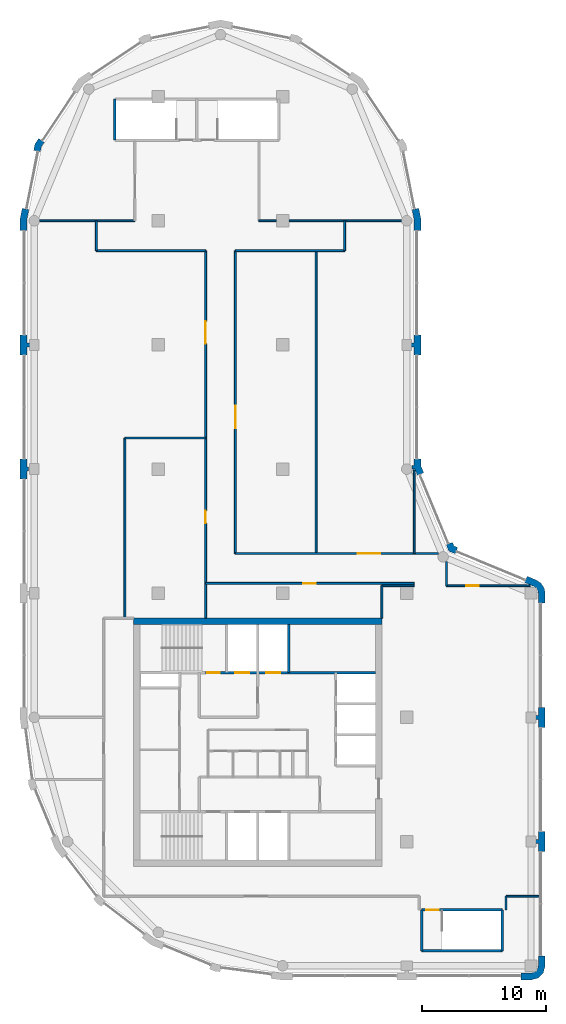
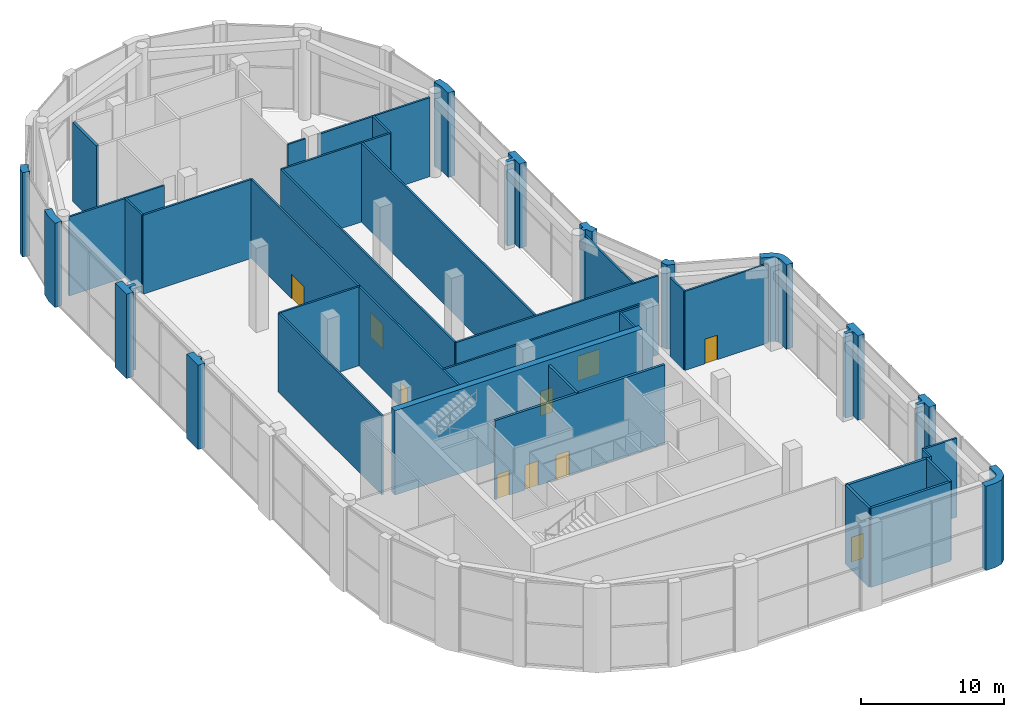
# One storey, part 12 of 14: 41 walls, 10 doors, 10 openings.
"""IFC4 building model written with IfcOpenShell, lengths in metres."""

from ifc_helpers import new_model, si_unit, direction, frame, frame_2d, origin, place, context, subcontext, project, spatial, polyline, rectangle, outline, extrude, material, layer, layer_set, type_object, element, fill, save


model = new_model("IFC4")

# Units and contexts
model_context = context("Model", 3, precision=1e-05, world=origin(), true_north=direction((0.0, 1.0)))
body_context = subcontext(model_context, "Body", "Model", "MODEL_VIEW")
ifc_project = project(units=[si_unit("LENGTHUNIT", "METRE"), si_unit("AREAUNIT", "SQUARE_METRE"), si_unit("VOLUMEUNIT", "CUBIC_METRE"), si_unit("PLANEANGLEUNIT", "RADIAN"), si_unit("MASSUNIT", "GRAM", prefix="KILO")], contexts=[model_context])

# Site, building, storey
site_placement = place(None, origin())
site = spatial("IfcSite", under=ifc_project, at=site_placement, CompositionType="ELEMENT")
building_placement = place(site_placement, origin())
building = spatial("IfcBuilding", under=site, at=building_placement, Name="Qaws Garden Tower", CompositionType="ELEMENT")
storey_placement = place(building_placement, frame((0.0, 0.0, 358.199951171875)))
storey = spatial("IfcBuildingStorey", under=building, at=storey_placement, Name="L87", CompositionType="ELEMENT", Elevation=358.199951171875)

# Walls
ifc_material_1 = material(Name="Clay facing brick masonry", Category="masonry")
ifc_layer_1 = layer(ifc_material_1, 0.550048828125)
ifc_layer_set_1 = layer_set([ifc_layer_1], Name="Clay facing brick masonry")
wall_type_1 = type_object("IfcWallType", Name="Brick corner pier 550 x 2400", PredefinedType="SOLIDWALL", material=ifc_layer_set_1)
placement = place(storey_placement, origin())
element("IfcWall", 1, at=placement, inside=storey, type_object=wall_type_1, Name="E-L87-pier-02", PredefinedType="SOLIDWALL", context=body_context, shape_type="SweptSolid", body=[
    extrude(outline(polyline([(39.199951171875, -1.0), (39.199951171875, -1.14990234375), (40.0, -1.14990234375), (40.574951171875, -0.995849609375), (40.995849609375, -0.574951171875), (41.14990234375, 0.0), (41.14990234375, 0.800048828125), (41.0, 0.800048828125), (40.60009765625, 0.800048828125), (40.60009765625, 0.0), (40.51953125, -0.300048828125), (40.300048828125, -0.51953125), (40.0, -0.60009765625), (39.199951171875, -0.60009765625), (39.199951171875, -1.0)])), origin(), (0.0, 0.0, 1.0), 7.199951171875),
])
element("IfcWall", 2, at=placement, inside=storey, type_object=wall_type_1, Name="E-L87-pier-05", PredefinedType="SOLIDWALL", context=body_context, shape_type="SweptSolid", body=[
    extrude(outline(polyline([(41.0, 29.199951171875), (41.14990234375, 29.199951171875), (41.14990234375, 30.0), (41.0625, 30.440185546875), (40.813232421875, 30.813232421875), (40.440185546875, 31.0625), (39.700927734375, 31.36865234375), (39.6435546875, 31.22998046875), (39.490478515625, 30.860595703125), (40.2294921875, 30.554443359375), (40.42431640625, 30.42431640625), (40.554443359375, 30.2294921875), (40.60009765625, 30.0), (40.60009765625, 29.199951171875), (41.0, 29.199951171875)])), origin(), (0.0, 0.0, 1.0), 7.199951171875),
])
ifc_material_2 = material(Name="Clay facing brick masonry", Category="masonry")
ifc_layer_2 = layer(ifc_material_2, 0.550048828125)
ifc_layer_set_2 = layer_set([ifc_layer_2], Name="Clay facing brick masonry")
wall_type_2 = type_object("IfcWallType", Name="Brick kink pier 550 x 600", PredefinedType="SOLIDWALL", material=ifc_layer_set_2)
element("IfcWall", 3, at=placement, inside=storey, type_object=wall_type_2, Name="E-L87-pier-16", PredefinedType="SOLIDWALL", context=body_context, shape_type="SweptSolid", body=[
    extrude(outline(polyline([(0.47705078125, 66.545166015625), (0.352294921875, 66.628662109375), (0.05859375, 66.18896484375), (-0.044677734375, 65.67041015625), (0.1025390625, 65.64111328125), (0.494873046875, 65.56298828125), (0.57666015625, 65.974365234375), (0.8095703125, 66.322998046875), (0.47705078125, 66.545166015625)])), origin(), (0.0, 0.0, 1.0), 7.199951171875),
])
ifc_material_3 = material(Name="Clay facing brick masonry", Category="masonry")
ifc_layer_3 = layer(ifc_material_3, 0.550048828125)
ifc_layer_set_3 = layer_set([ifc_layer_3], Name="Clay facing brick masonry")
wall_type_3 = type_object("IfcWallType", Name="Brick pier 550 x 1600", PredefinedType="SOLIDWALL", material=ifc_layer_set_3)
element("IfcWall", 4, at=placement, inside=storey, type_object=wall_type_3, Name="E-L87-pier-03", PredefinedType="SOLIDWALL", context=body_context, shape_type="SweptSolid", body=[
    extrude(outline(polyline([(40.0, 9.85009765625), (40.60009765625, 9.85009765625), (40.60009765625, 9.199951171875), (41.0, 9.199951171875), (41.14990234375, 9.199951171875), (41.14990234375, 10.0), (41.14990234375, 10.800048828125), (41.0, 10.800048828125), (40.60009765625, 10.800048828125), (40.60009765625, 10.14990234375), (40.0, 10.14990234375), (40.0, 9.85009765625)])), origin(), (0.0, 0.0, 1.0), 7.199951171875),
])
element("IfcWall", 5, at=placement, inside=storey, type_object=wall_type_3, Name="E-L87-pier-04", PredefinedType="SOLIDWALL", context=body_context, shape_type="SweptSolid", body=[
    extrude(outline(polyline([(40.0, 19.85009765625), (40.60009765625, 19.85009765625), (40.60009765625, 19.199951171875), (41.0, 19.199951171875), (41.14990234375, 19.199951171875), (41.14990234375, 20.0), (41.14990234375, 20.800048828125), (41.0, 20.800048828125), (40.60009765625, 20.800048828125), (40.60009765625, 20.14990234375), (40.0, 20.14990234375), (40.0, 19.85009765625)])), origin(), (0.0, 0.0, 1.0), 7.199951171875),
])
element("IfcWall", 6, at=placement, inside=storey, type_object=wall_type_3, Name="E-L87-pier-06", PredefinedType="SOLIDWALL", context=body_context, shape_type="SweptSolid", body=[
    extrude(outline(polyline([(34.05078125, 33.546630859375), (34.108154296875, 33.685302734375), (33.80908203125, 33.80908203125), (33.685302734375, 34.108154296875), (33.546630859375, 34.05078125), (33.177001953125, 33.897705078125), (33.38818359375, 33.38818359375), (33.897705078125, 33.177001953125), (34.05078125, 33.546630859375)])), origin(), (0.0, 0.0, 1.0), 7.199951171875),
])
element("IfcWall", 7, at=placement, inside=storey, type_object=wall_type_3, Name="E-L87-pier-07", PredefinedType="SOLIDWALL", context=body_context, shape_type="SweptSolid", body=[
    extrude(outline(polyline([(30.6201171875, 39.995361328125), (30.6201171875, 40.071044921875), (30.860595703125, 39.490478515625), (31.22998046875, 39.6435546875), (31.36865234375, 39.700927734375), (31.14990234375, 40.228759765625), (31.14990234375, 40.800048828125), (31.0, 40.800048828125), (30.60009765625, 40.800048828125), (30.60009765625, 40.29541015625), (30.425048828125, 40.29541015625), (30.425048828125, 39.995361328125), (30.6201171875, 39.995361328125)])), origin(), (0.0, 0.0, 1.0), 7.199951171875),
])
element("IfcWall", 8, at=placement, inside=storey, type_object=wall_type_3, Name="E-L87-pier-08", PredefinedType="SOLIDWALL", context=body_context, shape_type="SweptSolid", body=[
    extrude(outline(polyline([(30.0, 49.85009765625), (30.60009765625, 49.85009765625), (30.60009765625, 49.199951171875), (31.0, 49.199951171875), (31.14990234375, 49.199951171875), (31.14990234375, 50.0), (31.14990234375, 50.800048828125), (31.0, 50.800048828125), (30.60009765625, 50.800048828125), (30.60009765625, 50.14990234375), (30.0, 50.14990234375), (30.0, 49.85009765625)])), origin(), (0.0, 0.0, 1.0), 7.199951171875),
])
element("IfcWall", 9, at=placement, inside=storey, type_object=wall_type_3, Name="E-L87-pier-09", PredefinedType="SOLIDWALL", context=body_context, shape_type="SweptSolid", body=[
    extrude(outline(polyline([(31.0, 59.199951171875), (31.14990234375, 59.199951171875), (31.14990234375, 60.11328125), (30.971923828125, 61.009033203125), (30.82470703125, 60.979736328125), (30.432373046875, 60.901611328125), (30.60009765625, 60.05908203125), (30.60009765625, 59.199951171875), (31.0, 59.199951171875)])), origin(), (0.0, 0.0, 1.0), 7.199951171875),
])
element("IfcWall", 10, at=placement, inside=storey, type_object=wall_type_3, Name="E-L87-pier-17", PredefinedType="SOLIDWALL", context=body_context, shape_type="SweptSolid", body=[
    extrude(outline(polyline([(-0.82470703125, 60.979736328125), (-0.971923828125, 61.009033203125), (-1.14990234375, 60.11328125), (-1.14990234375, 59.199951171875), (-1.0, 59.199951171875), (-0.60009765625, 59.199951171875), (-0.60009765625, 60.05908203125), (-0.432373046875, 60.901611328125), (-0.82470703125, 60.979736328125)])), origin(), (0.0, 0.0, 1.0), 7.199951171875),
])
element("IfcWall", 11, at=placement, inside=storey, type_object=wall_type_3, Name="E-L87-pier-18", PredefinedType="SOLIDWALL", context=body_context, shape_type="SweptSolid", body=[
    extrude(outline(polyline([(-0.60009765625, 49.199951171875), (-0.60009765625, 49.85009765625), (0.0, 49.85009765625), (0.0, 50.14990234375), (-0.60009765625, 50.14990234375), (-0.60009765625, 50.800048828125), (-1.0, 50.800048828125), (-1.14990234375, 50.800048828125), (-1.14990234375, 50.0), (-1.14990234375, 49.199951171875), (-1.0, 49.199951171875), (-0.60009765625, 49.199951171875)])), origin(), (0.0, 0.0, 1.0), 7.199951171875),
])
element("IfcWall", 12, at=placement, inside=storey, type_object=wall_type_3, Name="E-L87-pier-19", PredefinedType="SOLIDWALL", context=body_context, shape_type="SweptSolid", body=[
    extrude(outline(polyline([(-0.60009765625, 39.199951171875), (-0.60009765625, 39.85009765625), (-0.449951171875, 39.85009765625), (-0.449951171875, 40.14990234375), (-0.60009765625, 40.14990234375), (-0.60009765625, 40.800048828125), (-1.0, 40.800048828125), (-1.14990234375, 40.800048828125), (-1.14990234375, 40.0), (-1.14990234375, 39.199951171875), (-1.0, 39.199951171875), (-0.60009765625, 39.199951171875)])), origin(), (0.0, 0.0, 1.0), 7.199951171875),
])
ifc_material_4 = material(Name="Concrete C60", Category="concrete")
ifc_layer_4 = layer(ifc_material_4, 0.199951171875)
ifc_layer_set_4 = layer_set([ifc_layer_4], Name="Concrete C60")
wall_type_4 = type_object("IfcWallType", Name="Core shaft wall 200 C60", PredefinedType="SHEAR", material=ifc_layer_set_4)
wall_13_placement = place(storey_placement, frame((31.199951171875, 1.199951171875, 0.0), z_axis=(0.0, 0.0, 1.0), x_axis=(1.0, 0.0, 0.0)))
element("IfcWall", 13, at=wall_13_placement, inside=storey, type_object=wall_type_4, Name="Shaft wall", PredefinedType="SHEAR", context=body_context, shape_type="SweptSolid", body=[
    extrude(rectangle(XDim=6.5, YDim=0.199951171875, at=frame_2d((3.25, 0.0))), origin(), (0.0, 0.0, 1.0), 6.75),
])

# Wall, opening, door
wall_14_placement = place(storey_placement, frame((31.199951171875, 4.5, 0.0), z_axis=(0.0, 0.0, 1.0), x_axis=(1.0, 0.0, 0.0)))
wall_14 = element("IfcWall", 14, at=wall_14_placement, inside=storey, type_object=wall_type_4, Name="Shaft wall", PredefinedType="SHEAR", context=body_context, shape_type="SweptSolid", body=[
    extrude(rectangle(XDim=6.5, YDim=0.199951171875, at=frame_2d((3.25, 0.0))), origin(), (0.0, 0.0, 1.0), 6.75),
])
opening_1_placement = place(wall_14_placement, frame((0.375, 0.0, 0.0)))
opening_1 = element("IfcOpeningElement", 15, at=opening_1_placement, cuts=wall_14, Name="Opening SD10", PredefinedType="OPENING", context=body_context, shape_type="SweptSolid", body=[
    extrude(rectangle(XDim=1.0, YDim=2.10009765625, at=frame_2d((0.5, 1.050048828125))), frame((0.0, 0.10986328125, 0.0), z_axis=(0.0, -1.0, 0.0), x_axis=(1.0, 0.0, 0.0)), (0.0, 0.0, 1.0), 0.219970703125),
])
ifc_material_5 = material(Name="Steel S235", Category="steel")
door_type_1 = type_object("IfcDoorType", Name="Stair door 1000x2100", OperationType="SINGLE_SWING_RIGHT", PredefinedType="DOOR", material=ifc_material_5)
door_1_placement = place(opening_1_placement, frame((1.0, 0.0, 0.0), z_axis=(0.0, 0.0, 1.0), x_axis=(-1.0, 0.0, 0.0)))
door_1 = element("IfcDoor", 16, at=door_1_placement, inside=storey, type_object=door_type_1, Name="Stair 5 door", OperationType="SINGLE_SWING_RIGHT", OverallHeight=2.10009765625, OverallWidth=1.0, PredefinedType="DOOR", context=body_context, shape_type="SweptSolid", body=[
    extrude(rectangle(XDim=1.0, YDim=2.10009765625, at=frame_2d((0.5, 1.050048828125))), frame((0.0, 0.02490234375, 0.0), z_axis=(0.0, -1.0, 0.0), x_axis=(1.0, 0.0, 0.0)), (0.0, 0.0, 1.0), 0.050048828125),
])
fill(opening_1, door_1)

# Wall, openings, doors
wall_15_placement = place(storey_placement, frame((13.800048828125, 23.60009765625, 0.0), z_axis=(0.0, 0.0, 1.0), x_axis=(1.0, 0.0, 0.0)))
wall_15 = element("IfcWall", 17, at=wall_15_placement, inside=storey, type_object=wall_type_4, Name="Shaft wall", PredefinedType="SHEAR", context=body_context, shape_type="SweptSolid", body=[
    extrude(rectangle(XDim=13.699951171875, YDim=0.199951171875, at=frame_2d((6.85009765625, 0.0))), origin(), (0.0, 0.0, 1.0), 6.75),
])
opening_2_placement = place(wall_15_placement, frame((2.39990234375, 0.0, 0.0)))
opening_2 = element("IfcOpeningElement", 18, at=opening_2_placement, cuts=wall_15, Name="Opening LD06", PredefinedType="OPENING", context=body_context, shape_type="SweptSolid", body=[
    extrude(rectangle(XDim=1.10009765625, YDim=2.10009765625, at=frame_2d((0.550048828125, 1.050048828125))), frame((0.0, 0.10986328125, 0.0), z_axis=(0.0, -1.0, 0.0), x_axis=(1.0, 0.0, 0.0)), (0.0, 0.0, 1.0), 0.219970703125),
])
opening_3_placement = place(wall_15_placement, frame((4.89990234375, 0.0, 0.0)))
opening_3 = element("IfcOpeningElement", 19, at=opening_3_placement, cuts=wall_15, Name="Opening LD07", PredefinedType="OPENING", context=body_context, shape_type="SweptSolid", body=[
    extrude(rectangle(XDim=1.10009765625, YDim=2.10009765625, at=frame_2d((0.550048828125, 1.050048828125))), frame((0.0, 0.10986328125, 0.0), z_axis=(0.0, -1.0, 0.0), x_axis=(1.0, 0.0, 0.0)), (0.0, 0.0, 1.0), 0.219970703125),
])
opening_4_placement = place(wall_15_placement, frame((0.14990234375, 0.0, 0.0)))
opening_4 = element("IfcOpeningElement", 20, at=opening_4_placement, cuts=wall_15, Name="Opening SD09", PredefinedType="OPENING", context=body_context, shape_type="SweptSolid", body=[
    extrude(rectangle(XDim=1.0, YDim=2.10009765625, at=frame_2d((0.5, 1.050048828125))), frame((0.0, 0.10986328125, 0.0), z_axis=(0.0, -1.0, 0.0), x_axis=(1.0, 0.0, 0.0)), (0.0, 0.0, 1.0), 0.219970703125),
])
ifc_material_6 = material(Name="Steel S235", Category="steel")
door_type_2 = type_object("IfcDoorType", Name="Landing door 1100x2100", OperationType="DOUBLE_DOOR_SLIDING", PredefinedType="DOOR", material=ifc_material_6)
door_2_placement = place(opening_2_placement, origin())
door_2 = element("IfcDoor", 21, at=door_2_placement, inside=storey, type_object=door_type_2, Name="Lift FF3 landing door", OperationType="DOUBLE_DOOR_SLIDING", OverallHeight=2.10009765625, OverallWidth=1.10009765625, PredefinedType="DOOR", context=body_context, shape_type="SweptSolid", body=[
    extrude(rectangle(XDim=1.10009765625, YDim=2.10009765625, at=frame_2d((0.550048828125, 1.050048828125))), frame((0.0, 0.02490234375, 0.0), z_axis=(0.0, -1.0, 0.0), x_axis=(1.0, 0.0, 0.0)), (0.0, 0.0, 1.0), 0.050048828125),
])
fill(opening_2, door_2)
door_3_placement = place(opening_3_placement, origin())
door_3 = element("IfcDoor", 22, at=door_3_placement, inside=storey, type_object=door_type_2, Name="Lift SV2 landing door", OperationType="DOUBLE_DOOR_SLIDING", OverallHeight=2.10009765625, OverallWidth=1.10009765625, PredefinedType="DOOR", context=body_context, shape_type="SweptSolid", body=[
    extrude(rectangle(XDim=1.10009765625, YDim=2.10009765625, at=frame_2d((0.550048828125, 1.050048828125))), frame((0.0, 0.02490234375, 0.0), z_axis=(0.0, -1.0, 0.0), x_axis=(1.0, 0.0, 0.0)), (0.0, 0.0, 1.0), 0.050048828125),
])
fill(opening_3, door_3)
door_4_placement = place(opening_4_placement, origin())
door_4 = element("IfcDoor", 23, at=door_4_placement, inside=storey, type_object=door_type_1, Name="Stair 4 door", OperationType="SINGLE_SWING_RIGHT", OverallHeight=2.10009765625, OverallWidth=1.0, PredefinedType="DOOR", context=body_context, shape_type="SweptSolid", body=[
    extrude(rectangle(XDim=1.0, YDim=2.10009765625, at=frame_2d((0.5, 1.050048828125))), frame((0.0, 0.02490234375, 0.0), z_axis=(0.0, -1.0, 0.0), x_axis=(1.0, 0.0, 0.0)), (0.0, 0.0, 1.0), 0.050048828125),
])
fill(opening_4, door_4)

# Walls
wall_16_placement = place(storey_placement, frame((6.5, 66.5, 0.0), z_axis=(0.0, 0.0, 1.0), x_axis=(0.0, 1.0, 0.0)))
element("IfcWall", 24, at=wall_16_placement, inside=storey, type_object=wall_type_4, Name="Shaft wall", PredefinedType="SHEAR", context=body_context, shape_type="SweptSolid", body=[
    extrude(rectangle(XDim=3.300048828125, YDim=0.199951171875, at=frame_2d((1.64990234375, 0.0))), origin(), (0.0, 0.0, 1.0), 6.75),
])
wall_17_placement = place(storey_placement, frame((20.5, 23.60009765625, 0.0), z_axis=(0.0, 0.0, 1.0), x_axis=(0.0, 1.0, 0.0)))
element("IfcWall", 25, at=wall_17_placement, inside=storey, type_object=wall_type_4, Name="Shaft wall", PredefinedType="SHEAR", context=body_context, shape_type="SweptSolid", body=[
    extrude(rectangle(XDim=3.89990234375, YDim=0.199951171875, at=frame_2d((1.949951171875, 0.0))), origin(), (0.0, 0.0, 1.0), 6.75),
])
for number, where, z_axis, x_axis, name in (
    (26, (31.199951171875, 1.199951171875, 0.0), (0.0, 0.0, 1.0), (0.0, 1.0, 0.0), "Shaft wall"),
    (27, (37.699951171875, 1.199951171875, 0.0), (0.0, 0.0, 1.0), (0.0, 1.0, 0.0), "Shaft wall"),
):
    element("IfcWall", number, at=place(storey_placement, frame(where, z_axis=z_axis, x_axis=x_axis)), inside=storey, type_object=wall_type_4, Name=name, PredefinedType="SHEAR", context=body_context, shape_type="SweptSolid", body=[
        extrude(rectangle(XDim=3.300048828125, YDim=0.199951171875, at=frame_2d((1.64990234375, 0.0))), origin(), (0.0, 0.0, 1.0), 6.75),
    ])
ifc_material_7 = material(Name="Concrete C60", Category="concrete")
ifc_layer_5 = layer(ifc_material_7, 0.5)
ifc_layer_set_5 = layer_set([ifc_layer_5], Name="Concrete C60")
wall_type_5 = type_object("IfcWallType", Name="Core wall 500 C60", PredefinedType="SHEAR", material=ifc_layer_set_5)
wall_18_placement = place(storey_placement, frame((28.0, 27.75, 0.0), z_axis=(0.0, 0.0, 1.0), x_axis=(-1.0, 0.0, 0.0)))
element("IfcWall", 28, at=wall_18_placement, inside=storey, type_object=wall_type_5, Name="Core wall L87 north", PredefinedType="SHEAR", context=body_context, shape_type="SweptSolid", body=[
    extrude(rectangle(XDim=20.0, YDim=0.5, at=frame_2d((10.0, 0.0))), origin(), (0.0, 0.0, 1.0), 7.199951171875),
])
ifc_material_8 = material(Name="Gypsum board partition")
ifc_layer_6 = layer(ifc_material_8, 0.14990234375)
ifc_layer_set_6 = layer_set([ifc_layer_6], Name="Gypsum board partition")
wall_type_6 = type_object("IfcWallType", Name="PARTITION 150 EI 60", PredefinedType="PARTITIONING", material=ifc_layer_set_6)
wall_19_placement = place(storey_placement, frame((5.0, 57.60009765625, 0.0), z_axis=(0.0, 0.0, 1.0), x_axis=(0.0, 1.0, 0.0)))
element("IfcWall", 29, at=wall_19_placement, inside=storey, type_object=wall_type_6, Name="O-L87-wall-001", PredefinedType="PARTITIONING", context=body_context, shape_type="SweptSolid", body=[
    extrude(rectangle(XDim=2.39990234375, YDim=0.14990234375, at=frame_2d((1.199951171875, 0.0))), origin(), (0.0, 0.0, 1.0), 6.75),
])
wall_20_placement = place(storey_placement, frame((7.300048828125, 28.0, 0.0), z_axis=(0.0, 0.0, 1.0), x_axis=(0.0, 1.0, 0.0)))
element("IfcWall", 30, at=wall_20_placement, inside=storey, type_object=wall_type_6, Name="O-L87-wall-003", PredefinedType="PARTITIONING", context=body_context, shape_type="SweptSolid", body=[
    extrude(rectangle(XDim=14.5, YDim=0.14990234375, at=frame_2d((7.25, 0.0))), origin(), (0.0, 0.0, 1.0), 6.75),
])

# Wall, openings, doors
wall_21_placement = place(storey_placement, frame((13.800048828125, 28.0, 0.0), z_axis=(0.0, 0.0, 1.0), x_axis=(0.0, 1.0, 0.0)))
wall_21 = element("IfcWall", 31, at=wall_21_placement, inside=storey, type_object=wall_type_6, Name="O-L87-wall-005", PredefinedType="PARTITIONING", context=body_context, shape_type="SweptSolid", body=[
    extrude(rectangle(XDim=29.60009765625, YDim=0.14990234375, at=frame_2d((14.800048828125, 0.0))), origin(), (0.0, 0.0, 1.0), 6.75),
])
opening_5_placement = place(wall_21_placement, frame((7.64990234375, 0.0, 0.0)))
opening_5 = element("IfcOpeningElement", 32, at=opening_5_placement, cuts=wall_21, Name="Opening OB04", PredefinedType="OPENING", context=body_context, shape_type="SweptSolid", body=[
    extrude(rectangle(XDim=1.0, YDim=2.10009765625, at=frame_2d((0.5, 1.050048828125))), frame((0.0, 0.0849609375, 0.0), z_axis=(0.0, -1.0, 0.0), x_axis=(1.0, 0.0, 0.0)), (0.0, 0.0, 1.0), 0.169921875),
])
opening_6_placement = place(wall_21_placement, frame((22.10009765625, 0.0, 0.0)))
opening_6 = element("IfcOpeningElement", 33, at=opening_6_placement, cuts=wall_21, Name="Opening OB05", PredefinedType="OPENING", context=body_context, shape_type="SweptSolid", body=[
    extrude(rectangle(XDim=1.800048828125, YDim=2.10009765625, at=frame_2d((0.89990234375, 1.050048828125))), frame((0.0, 0.0849609375, 0.0), z_axis=(0.0, -1.0, 0.0), x_axis=(1.0, 0.0, 0.0)), (0.0, 0.0, 1.0), 0.169921875),
])
ifc_material_9 = material(Name="Timber door leaf", Category="wood")
door_type_3 = type_object("IfcDoorType", Name="DOUBLE DOOR 1800 X 2100", OperationType="DOUBLE_DOOR_SINGLE_SWING", PredefinedType="DOOR", material=ifc_material_9)
door_5_placement = place(opening_6_placement, origin())
door_5 = element("IfcDoor", 34, at=door_5_placement, inside=storey, type_object=door_type_3, Name="O-L87-door-005", OperationType="DOUBLE_DOOR_SINGLE_SWING", OverallHeight=2.10009765625, OverallWidth=1.800048828125, PredefinedType="DOOR", context=body_context, shape_type="SweptSolid", body=[
    extrude(rectangle(XDim=1.800048828125, YDim=2.10009765625, at=frame_2d((0.89990234375, 1.050048828125))), frame((0.0, 0.02490234375, 0.0), z_axis=(0.0, -1.0, 0.0), x_axis=(1.0, 0.0, 0.0)), (0.0, 0.0, 1.0), 0.050048828125),
])
fill(opening_6, door_5)
ifc_material_10 = material(Name="Timber door leaf", Category="wood")
door_type_4 = type_object("IfcDoorType", Name="TENANCY ENTRANCE DOOR 1000 X 2100", OperationType="SINGLE_SWING_LEFT", PredefinedType="DOOR", material=ifc_material_10)
door_6_placement = place(opening_5_placement, origin())
door_6 = element("IfcDoor", 35, at=door_6_placement, inside=storey, type_object=door_type_4, Name="O-L87-door-004", OperationType="SINGLE_SWING_LEFT", OverallHeight=2.10009765625, OverallWidth=1.0, PredefinedType="DOOR", context=body_context, shape_type="SweptSolid", body=[
    extrude(rectangle(XDim=1.0, YDim=2.10009765625, at=frame_2d((0.5, 1.050048828125))), frame((0.0, 0.02490234375, 0.0), z_axis=(0.0, -1.0, 0.0), x_axis=(1.0, 0.0, 0.0)), (0.0, 0.0, 1.0), 0.050048828125),
])
fill(opening_5, door_6)

# Wall, opening, door
wall_22_placement = place(storey_placement, frame((16.199951171875, 33.199951171875, 0.0), z_axis=(0.0, 0.0, 1.0), x_axis=(0.0, 1.0, 0.0)))
wall_22 = element("IfcWall", 36, at=wall_22_placement, inside=storey, type_object=wall_type_6, Name="O-L87-wall-006", PredefinedType="PARTITIONING", context=body_context, shape_type="SweptSolid", body=[
    extrude(rectangle(XDim=24.400146484375, YDim=0.14990234375, at=frame_2d((12.2001953125, 0.0))), origin(), (0.0, 0.0, 1.0), 6.75),
])
opening_7_placement = place(wall_22_placement, frame((10.10009765625, 0.0, 0.0)))
opening_7 = element("IfcOpeningElement", 37, at=opening_7_placement, cuts=wall_22, Name="Opening OB06", PredefinedType="OPENING", context=body_context, shape_type="SweptSolid", body=[
    extrude(rectangle(XDim=1.800048828125, YDim=2.10009765625, at=frame_2d((0.89990234375, 1.050048828125))), frame((0.0, 0.0849609375, 0.0), z_axis=(0.0, -1.0, 0.0), x_axis=(1.0, 0.0, 0.0)), (0.0, 0.0, 1.0), 0.169921875),
])
door_7_placement = place(opening_7_placement, frame((1.800048828125, 0.0, 0.0), z_axis=(0.0, 0.0, 1.0), x_axis=(-1.0, 0.0, 0.0)))
door_7 = element("IfcDoor", 38, at=door_7_placement, inside=storey, type_object=door_type_3, Name="O-L87-door-006", OperationType="DOUBLE_DOOR_SINGLE_SWING", OverallHeight=2.10009765625, OverallWidth=1.800048828125, PredefinedType="DOOR", context=body_context, shape_type="SweptSolid", body=[
    extrude(rectangle(XDim=1.800048828125, YDim=2.10009765625, at=frame_2d((0.89990234375, 1.050048828125))), frame((0.0, 0.02490234375, 0.0), z_axis=(0.0, -1.0, 0.0), x_axis=(1.0, 0.0, 0.0)), (0.0, 0.0, 1.0), 0.050048828125),
])
fill(opening_7, door_7)

# Walls
wall_23_placement = place(storey_placement, frame((22.699951171875, 33.199951171875, 0.0), z_axis=(0.0, 0.0, 1.0), x_axis=(0.0, 1.0, 0.0)))
element("IfcWall", 39, at=wall_23_placement, inside=storey, type_object=wall_type_6, Name="O-L87-wall-008", PredefinedType="PARTITIONING", context=body_context, shape_type="SweptSolid", body=[
    extrude(rectangle(XDim=24.400146484375, YDim=0.14990234375, at=frame_2d((12.2001953125, 0.0))), origin(), (0.0, 0.0, 1.0), 6.75),
])
wall_24_placement = place(storey_placement, frame((25.0, 57.60009765625, 0.0), z_axis=(0.0, 0.0, 1.0), x_axis=(0.0, 1.0, 0.0)))
element("IfcWall", 40, at=wall_24_placement, inside=storey, type_object=wall_type_6, Name="O-L87-wall-009", PredefinedType="PARTITIONING", context=body_context, shape_type="SweptSolid", body=[
    extrude(rectangle(XDim=2.39990234375, YDim=0.14990234375, at=frame_2d((1.199951171875, 0.0))), origin(), (0.0, 0.0, 1.0), 6.75),
])
wall_25_placement = place(storey_placement, frame((28.0, 28.0, 0.0), z_axis=(0.0, 0.0, 1.0), x_axis=(0.0, 1.0, 0.0)))
element("IfcWall", 41, at=wall_25_placement, inside=storey, type_object=wall_type_6, Name="O-L87-wall-010", PredefinedType="PARTITIONING", context=body_context, shape_type="SweptSolid", body=[
    extrude(rectangle(XDim=2.597900390625, YDim=0.14990234375, at=frame_2d((1.298828125, 0.0))), origin(), (0.0, 0.0, 1.0), 6.75),
])
wall_26_placement = place(storey_placement, frame((30.60009765625, 33.199951171875, 0.0), z_axis=(0.0, 0.0, 1.0), x_axis=(0.0, 1.0, 0.0)))
element("IfcWall", 42, at=wall_26_placement, inside=storey, type_object=wall_type_6, Name="O-L87-wall-011", PredefinedType="PARTITIONING", context=body_context, shape_type="SweptSolid", body=[
    extrude(rectangle(XDim=6.73828125, YDim=0.14990234375, at=frame_2d((3.369140625, 0.0))), origin(), (0.0, 0.0, 1.0), 6.75),
])
wall_27_placement = place(storey_placement, frame((33.199951171875, 30.60009765625, 0.0), z_axis=(0.0, 0.0, 1.0), x_axis=(0.0, 1.0, 0.0)))
element("IfcWall", 43, at=wall_27_placement, inside=storey, type_object=wall_type_6, Name="O-L87-wall-013", PredefinedType="PARTITIONING", context=body_context, shape_type="SweptSolid", body=[
    extrude(rectangle(XDim=1.951904296875, YDim=0.14990234375, at=frame_2d((0.97607421875, 0.0))), origin(), (0.0, 0.0, 1.0), 6.75),
])
wall_28_placement = place(storey_placement, frame((38.0, 4.5, 0.0), z_axis=(0.0, 0.0, 1.0), x_axis=(0.0, 1.0, 0.0)))
element("IfcWall", 44, at=wall_28_placement, inside=storey, type_object=wall_type_6, Name="O-L87-wall-014", PredefinedType="PARTITIONING", context=body_context, shape_type="SweptSolid", body=[
    extrude(rectangle(XDim=1.10009765625, YDim=0.14990234375, at=frame_2d((0.550048828125, 0.0))), origin(), (0.0, 0.0, 1.0), 6.75),
])
wall_29_placement = place(storey_placement, frame((38.0, 5.60009765625, 0.0), z_axis=(0.0, 0.0, 1.0), x_axis=(1.0, 0.0, 0.0)))
element("IfcWall", 45, at=wall_29_placement, inside=storey, type_object=wall_type_6, Name="O-L87-wall-016", PredefinedType="PARTITIONING", context=body_context, shape_type="SweptSolid", body=[
    extrude(rectangle(XDim=2.719970703125, YDim=0.14990234375, at=frame_2d((1.35986328125, 0.0))), origin(), (0.0, 0.0, 1.0), 6.75),
])
wall_30_placement = place(storey_placement, frame((28.001953125, 30.60009765625, 0.0), z_axis=(0.0, 0.0, 1.0), x_axis=(1.0, 0.0, 0.0)))
element("IfcWall", 46, at=wall_30_placement, inside=storey, type_object=wall_type_6, Name="O-L87-wall-020", PredefinedType="PARTITIONING", context=body_context, shape_type="SweptSolid", body=[
    extrude(rectangle(XDim=2.59716796875, YDim=0.14990234375, at=frame_2d((1.298583984375, 0.0))), origin(), (0.0, 0.0, 1.0), 6.75),
])

# Wall, opening, door
wall_31_placement = place(storey_placement, frame((33.199951171875, 30.60009765625, 0.0), z_axis=(0.0, 0.0, 1.0), x_axis=(1.0, 0.0, 0.0)))
wall_31 = element("IfcWall", 47, at=wall_31_placement, inside=storey, type_object=wall_type_6, Name="O-L87-wall-021", PredefinedType="PARTITIONING", context=body_context, shape_type="SweptSolid", body=[
    extrude(rectangle(XDim=6.73828125, YDim=0.14990234375, at=frame_2d((3.369140625, 0.0))), origin(), (0.0, 0.0, 1.0), 6.75),
])
opening_8_placement = place(wall_31_placement, frame((1.60009765625, 0.0, 0.0)))
opening_8 = element("IfcOpeningElement", 48, at=opening_8_placement, cuts=wall_31, Name="Opening OB09", PredefinedType="OPENING", context=body_context, shape_type="SweptSolid", body=[
    extrude(rectangle(XDim=1.0, YDim=2.10009765625, at=frame_2d((0.5, 1.050048828125))), frame((0.0, 0.0849609375, 0.0), z_axis=(0.0, -1.0, 0.0), x_axis=(1.0, 0.0, 0.0)), (0.0, 0.0, 1.0), 0.169921875),
])
door_8_placement = place(opening_8_placement, origin())
door_8 = element("IfcDoor", 49, at=door_8_placement, inside=storey, type_object=door_type_4, Name="O-L87-door-009", OperationType="SINGLE_SWING_LEFT", OverallHeight=2.10009765625, OverallWidth=1.0, PredefinedType="DOOR", context=body_context, shape_type="SweptSolid", body=[
    extrude(rectangle(XDim=1.0, YDim=2.10009765625, at=frame_2d((0.5, 1.050048828125))), frame((0.0, 0.02490234375, 0.0), z_axis=(0.0, -1.0, 0.0), x_axis=(1.0, 0.0, 0.0)), (0.0, 0.0, 1.0), 0.050048828125),
])
fill(opening_8, door_8)

wall_32_placement = place(storey_placement, frame((13.802001953125, 30.800048828125, 0.0), z_axis=(0.0, 0.0, 1.0), x_axis=(1.0, 0.0, 0.0)))
wall_32 = element("IfcWall", 50, at=wall_32_placement, inside=storey, type_object=wall_type_6, Name="O-L87-wall-022", PredefinedType="PARTITIONING", context=body_context, shape_type="SweptSolid", body=[
    extrude(rectangle(XDim=16.797119140625, YDim=0.14990234375, at=frame_2d((8.3984375, 0.0))), origin(), (0.0, 0.0, 1.0), 6.75),
])
opening_9_placement = place(wall_32_placement, frame((7.85009765625, 0.0, 0.0)))
opening_9 = element("IfcOpeningElement", 51, at=opening_9_placement, cuts=wall_32, Name="Opening OB10", PredefinedType="OPENING", context=body_context, shape_type="SweptSolid", body=[
    extrude(rectangle(XDim=1.0, YDim=2.10009765625, at=frame_2d((0.5, 1.050048828125))), frame((0.0, 0.0849609375, 0.0), z_axis=(0.0, -1.0, 0.0), x_axis=(1.0, 0.0, 0.0)), (0.0, 0.0, 1.0), 0.169921875),
])
door_9_placement = place(opening_9_placement, frame((1.0, 0.0, 0.0), z_axis=(0.0, 0.0, 1.0), x_axis=(-1.0, 0.0, 0.0)))
door_9 = element("IfcDoor", 52, at=door_9_placement, inside=storey, type_object=door_type_4, Name="O-L87-door-010", OperationType="SINGLE_SWING_LEFT", OverallHeight=2.10009765625, OverallWidth=1.0, PredefinedType="DOOR", context=body_context, shape_type="SweptSolid", body=[
    extrude(rectangle(XDim=1.0, YDim=2.10009765625, at=frame_2d((0.5, 1.050048828125))), frame((0.0, 0.02490234375, 0.0), z_axis=(0.0, -1.0, 0.0), x_axis=(1.0, 0.0, 0.0)), (0.0, 0.0, 1.0), 0.050048828125),
])
fill(opening_9, door_9)

wall_33_placement = place(storey_placement, frame((16.199951171875, 33.199951171875, 0.0), z_axis=(0.0, 0.0, 1.0), x_axis=(1.0, 0.0, 0.0)))
wall_33 = element("IfcWall", 53, at=wall_33_placement, inside=storey, type_object=wall_type_6, Name="O-L87-wall-023", PredefinedType="PARTITIONING", context=body_context, shape_type="SweptSolid", body=[
    extrude(rectangle(XDim=16.35205078125, YDim=0.14990234375, at=frame_2d((8.176025390625, 0.0))), origin(), (0.0, 0.0, 1.0), 6.75),
])
opening_10_placement = place(wall_33_placement, frame((9.85009765625, 0.0, 0.0)))
opening_10 = element("IfcOpeningElement", 54, at=opening_10_placement, cuts=wall_33, Name="Opening OB07", PredefinedType="OPENING", context=body_context, shape_type="SweptSolid", body=[
    extrude(rectangle(XDim=1.800048828125, YDim=2.10009765625, at=frame_2d((0.89990234375, 1.050048828125))), frame((0.0, 0.0849609375, 0.0), z_axis=(0.0, -1.0, 0.0), x_axis=(1.0, 0.0, 0.0)), (0.0, 0.0, 1.0), 0.169921875),
])
door_10_placement = place(opening_10_placement, origin())
door_10 = element("IfcDoor", 55, at=door_10_placement, inside=storey, type_object=door_type_3, Name="O-L87-door-007", OperationType="DOUBLE_DOOR_SINGLE_SWING", OverallHeight=2.10009765625, OverallWidth=1.800048828125, PredefinedType="DOOR", context=body_context, shape_type="SweptSolid", body=[
    extrude(rectangle(XDim=1.800048828125, YDim=2.10009765625, at=frame_2d((0.89990234375, 1.050048828125))), frame((0.0, 0.02490234375, 0.0), z_axis=(0.0, -1.0, 0.0), x_axis=(1.0, 0.0, 0.0)), (0.0, 0.0, 1.0), 0.050048828125),
])
fill(opening_10, door_10)

# Walls
wall_34_placement = place(storey_placement, frame((7.300048828125, 42.5, 0.0), z_axis=(0.0, 0.0, 1.0), x_axis=(1.0, 0.0, 0.0)))
element("IfcWall", 56, at=wall_34_placement, inside=storey, type_object=wall_type_6, Name="O-L87-wall-024", PredefinedType="PARTITIONING", context=body_context, shape_type="SweptSolid", body=[
    extrude(rectangle(XDim=6.5, YDim=0.14990234375, at=frame_2d((3.25, 0.0))), origin(), (0.0, 0.0, 1.0), 6.75),
])
for number, where, z_axis, x_axis, name in (
    (57, (5.0, 57.60009765625, 0.0), (0.0, 0.0, 1.0), (1.0, 0.0, 0.0), "O-L87-wall-025"),
    (58, (16.199951171875, 57.60009765625, 0.0), (0.0, 0.0, 1.0), (1.0, 0.0, 0.0), "O-L87-wall-026"),
):
    element("IfcWall", number, at=place(storey_placement, frame(where, z_axis=z_axis, x_axis=x_axis)), inside=storey, type_object=wall_type_6, Name=name, PredefinedType="PARTITIONING", context=body_context, shape_type="SweptSolid", body=[
        extrude(rectangle(XDim=8.800048828125, YDim=0.14990234375, at=frame_2d((4.39990234375, 0.0))), origin(), (0.0, 0.0, 1.0), 6.75),
    ])
wall_35_placement = place(storey_placement, frame((0.425048828125, 60.0, 0.0), z_axis=(0.0, 0.0, 1.0), x_axis=(1.0, 0.0, 0.0)))
element("IfcWall", 59, at=wall_35_placement, inside=storey, type_object=wall_type_6, Name="O-L87-wall-027", PredefinedType="PARTITIONING", context=body_context, shape_type="SweptSolid", body=[
    extrude(rectangle(XDim=7.675048828125, YDim=0.14990234375, at=frame_2d((3.83740234375, 0.0))), origin(), (0.0, 0.0, 1.0), 6.75),
])
wall_36_placement = place(storey_placement, frame((18.10009765625, 60.0, 0.0), z_axis=(0.0, 0.0, 1.0), x_axis=(1.0, 0.0, 0.0)))
element("IfcWall", 60, at=wall_36_placement, inside=storey, type_object=wall_type_6, Name="O-L87-wall-028", PredefinedType="PARTITIONING", context=body_context, shape_type="SweptSolid", body=[
    extrude(rectangle(XDim=1.39990234375, YDim=0.14990234375, at=frame_2d((0.699951171875, 0.0))), origin(), (0.0, 0.0, 1.0), 6.75),
])
wall_37_placement = place(storey_placement, frame((20.5, 60.0, 0.0), z_axis=(0.0, 0.0, 1.0), x_axis=(1.0, 0.0, 0.0)))
element("IfcWall", 61, at=wall_37_placement, inside=storey, type_object=wall_type_6, Name="O-L87-wall-029", PredefinedType="PARTITIONING", context=body_context, shape_type="SweptSolid", body=[
    extrude(rectangle(XDim=9.074951171875, YDim=0.14990234375, at=frame_2d((4.53759765625, 0.0))), origin(), (0.0, 0.0, 1.0), 6.75),
])

save(model, "model.ifc")
